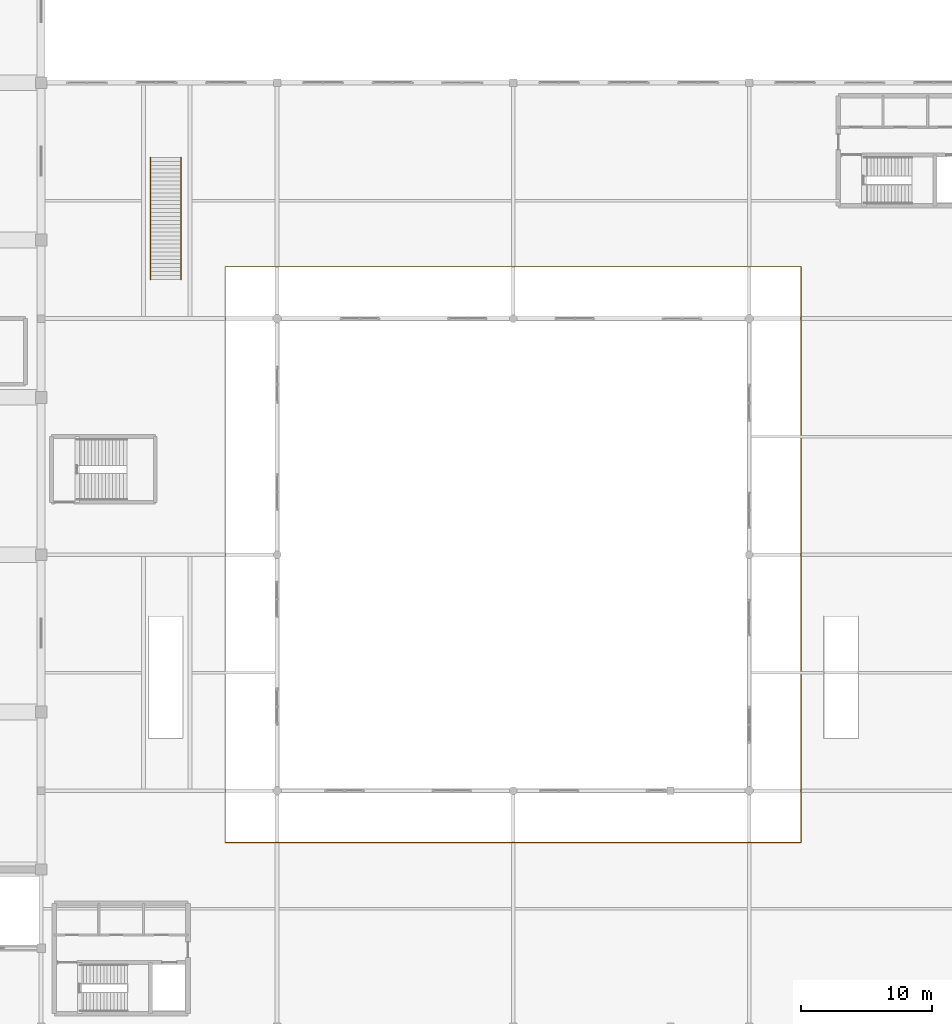
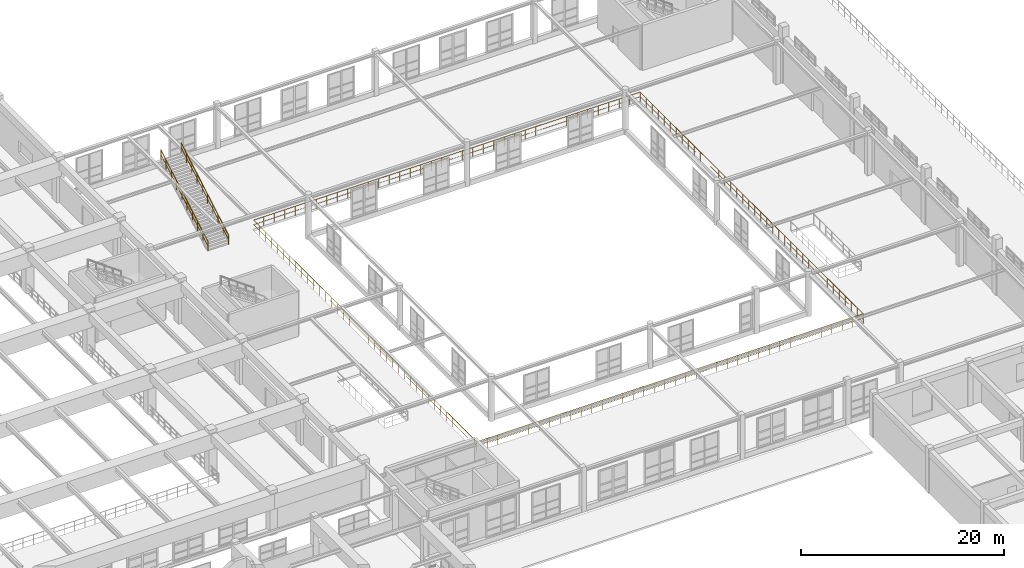
# One storey, part 193 of 197: 4 railings.
"""IFC4 building model written with IfcOpenShell, lengths in metres."""

from ifc_helpers import new_model, si_unit, derived_unit, direction, frame, origin, origin_2d, place, context, subcontext, project, spatial, circle, extrude, material, type_object, element, save


model = new_model("IFC4")

# Units and contexts
model_context = context("Model", 3, precision=1e-05, world=origin(), true_north=direction((0.0, 1.0)))
body_context = subcontext(model_context, "Body", "Model", "MODEL_VIEW")
ifc_project = project(units=[si_unit("LENGTHUNIT", "METRE"), si_unit("AREAUNIT", "SQUARE_METRE"), si_unit("VOLUMEUNIT", "CUBIC_METRE"), si_unit("PLANEANGLEUNIT", "RADIAN"), si_unit("MASSUNIT", "GRAM", prefix="KILO"), derived_unit("THERMALTRANSMITTANCEUNIT", [(si_unit("POWERUNIT", "WATT"), 1), (si_unit("LENGTHUNIT", "METRE"), -2), (si_unit("THERMODYNAMICTEMPERATUREUNIT", "KELVIN"), -1)])], contexts=[model_context])

# Site, building, storey
site_placement = place(None, origin())
site = spatial("IfcSite", under=ifc_project, at=site_placement, CompositionType="ELEMENT")
building_placement = place(site_placement, origin())
building = spatial("IfcBuilding", under=site, at=building_placement, Name="Almenara Railside Exhibition Hall", CompositionType="ELEMENT")
storey_placement = place(building_placement, frame((0.0, 0.0, 5.39990234375)))
storey = spatial("IfcBuildingStorey", under=building, at=storey_placement, Name="L01", CompositionType="ELEMENT", Elevation=5.39990234375)

# Railings
ifc_material_1 = material(Name="Bronze-capped laminated glass balustrade", Category="glass")
railing_type_1 = type_object("IfcRailingType", Name="Gallery Overlook Glazed Balustrade 1150mm", PredefinedType="BALUSTRADE", material=ifc_material_1)
railing_1_placement = place(storey_placement, frame((80.050048828125, 50.050048828125, 0.0)))
element("IfcRailing", 1, at=railing_1_placement, inside=storey, type_object=railing_type_1, Name="Guard balustrade 0022", PredefinedType="BALUSTRADE", context=body_context, shape_type="SweptSolid", body=[
    extrude(circle(Radius=0.02392578125, at=origin_2d()), frame((0.0, 0.0, 1.1259765625), z_axis=(1.0, 0.0, 0.0), x_axis=(0.0, 1.0, 0.0)), (0.0, 0.0, 1.0), 43.89990234375),
    extrude(circle(Radius=0.01416015625, at=origin_2d()), frame((0.0, 0.0, 0.574951171875), z_axis=(1.0, 0.0, 0.0), x_axis=(0.0, 1.0, 0.0)), (0.0, 0.0, 1.0), 43.89990234375),
    extrude(circle(Radius=0.02392578125, at=origin_2d()), frame((43.89990234375, 0.0, 1.1259765625), z_axis=(0.0, 1.0, 0.0), x_axis=(-1.0, 0.0, 0.0)), (0.0, 0.0, 1.0), 43.875),
    extrude(circle(Radius=0.01416015625, at=origin_2d()), frame((43.89990234375, 0.0, 0.574951171875), z_axis=(0.0, 1.0, 0.0), x_axis=(-1.0, 0.0, 0.0)), (0.0, 0.0, 1.0), 43.875),
    extrude(circle(Radius=0.02099609375, at=origin_2d()), origin(), (0.0, 0.0, 1.0), 1.101806640625),
    extrude(circle(Radius=0.02099609375, at=origin_2d()), frame((1.1865234375, 0.0, 0.0)), (0.0, 0.0, 1.0), 1.101806640625),
    extrude(circle(Radius=0.02099609375, at=origin_2d()), frame((2.373046875, 0.0, 0.0)), (0.0, 0.0, 1.0), 1.101806640625),
    extrude(circle(Radius=0.02099609375, at=origin_2d()), frame((3.5595703125, 0.0, 0.0)), (0.0, 0.0, 1.0), 1.101806640625),
    extrude(circle(Radius=0.02099609375, at=origin_2d()), frame((4.745849609375, 0.0, 0.0)), (0.0, 0.0, 1.0), 1.101806640625),
    extrude(circle(Radius=0.02099609375, at=origin_2d()), frame((5.932373046875, 0.0, 0.0)), (0.0, 0.0, 1.0), 1.101806640625),
    extrude(circle(Radius=0.02099609375, at=origin_2d()), frame((7.118896484375, 0.0, 0.0)), (0.0, 0.0, 1.0), 1.101806640625),
    extrude(circle(Radius=0.02099609375, at=origin_2d()), frame((8.305419921875, 0.0, 0.0)), (0.0, 0.0, 1.0), 1.101806640625),
    extrude(circle(Radius=0.02099609375, at=origin_2d()), frame((9.491943359375, 0.0, 0.0)), (0.0, 0.0, 1.0), 1.101806640625),
    extrude(circle(Radius=0.02099609375, at=origin_2d()), frame((10.678466796875, 0.0, 0.0)), (0.0, 0.0, 1.0), 1.101806640625),
    extrude(circle(Radius=0.02099609375, at=origin_2d()), frame((11.86474609375, 0.0, 0.0)), (0.0, 0.0, 1.0), 1.101806640625),
    extrude(circle(Radius=0.02099609375, at=origin_2d()), frame((13.05126953125, 0.0, 0.0)), (0.0, 0.0, 1.0), 1.101806640625),
    extrude(circle(Radius=0.02099609375, at=origin_2d()), frame((14.23779296875, 0.0, 0.0)), (0.0, 0.0, 1.0), 1.101806640625),
    extrude(circle(Radius=0.02099609375, at=origin_2d()), frame((15.42431640625, 0.0, 0.0)), (0.0, 0.0, 1.0), 1.101806640625),
    extrude(circle(Radius=0.02099609375, at=origin_2d()), frame((16.61083984375, 0.0, 0.0)), (0.0, 0.0, 1.0), 1.101806640625),
    extrude(circle(Radius=0.02099609375, at=origin_2d()), frame((17.79736328125, 0.0, 0.0)), (0.0, 0.0, 1.0), 1.101806640625),
    extrude(circle(Radius=0.02099609375, at=origin_2d()), frame((18.983642578125, 0.0, 0.0)), (0.0, 0.0, 1.0), 1.101806640625),
    extrude(circle(Radius=0.02099609375, at=origin_2d()), frame((20.170166015625, 0.0, 0.0)), (0.0, 0.0, 1.0), 1.101806640625),
    extrude(circle(Radius=0.02099609375, at=origin_2d()), frame((21.356689453125, 0.0, 0.0)), (0.0, 0.0, 1.0), 1.101806640625),
    extrude(circle(Radius=0.02099609375, at=origin_2d()), frame((22.543212890625, 0.0, 0.0)), (0.0, 0.0, 1.0), 1.101806640625),
    extrude(circle(Radius=0.02099609375, at=origin_2d()), frame((23.729736328125, 0.0, 0.0)), (0.0, 0.0, 1.0), 1.101806640625),
    extrude(circle(Radius=0.02099609375, at=origin_2d()), frame((24.916259765625, 0.0, 0.0)), (0.0, 0.0, 1.0), 1.101806640625),
    extrude(circle(Radius=0.02099609375, at=origin_2d()), frame((26.1025390625, 0.0, 0.0)), (0.0, 0.0, 1.0), 1.101806640625),
    extrude(circle(Radius=0.02099609375, at=origin_2d()), frame((27.2890625, 0.0, 0.0)), (0.0, 0.0, 1.0), 1.101806640625),
    extrude(circle(Radius=0.02099609375, at=origin_2d()), frame((28.4755859375, 0.0, 0.0)), (0.0, 0.0, 1.0), 1.101806640625),
    extrude(circle(Radius=0.02099609375, at=origin_2d()), frame((29.662109375, 0.0, 0.0)), (0.0, 0.0, 1.0), 1.101806640625),
    extrude(circle(Radius=0.02099609375, at=origin_2d()), frame((30.8486328125, 0.0, 0.0)), (0.0, 0.0, 1.0), 1.101806640625),
    extrude(circle(Radius=0.02099609375, at=origin_2d()), frame((32.03515625, 0.0, 0.0)), (0.0, 0.0, 1.0), 1.101806640625),
    extrude(circle(Radius=0.02099609375, at=origin_2d()), frame((33.221435546875, 0.0, 0.0)), (0.0, 0.0, 1.0), 1.101806640625),
    extrude(circle(Radius=0.02099609375, at=origin_2d()), frame((34.407958984375, 0.0, 0.0)), (0.0, 0.0, 1.0), 1.101806640625),
    extrude(circle(Radius=0.02099609375, at=origin_2d()), frame((35.594482421875, 0.0, 0.0)), (0.0, 0.0, 1.0), 1.101806640625),
    extrude(circle(Radius=0.02099609375, at=origin_2d()), frame((36.781005859375, 0.0, 0.0)), (0.0, 0.0, 1.0), 1.101806640625),
    extrude(circle(Radius=0.02099609375, at=origin_2d()), frame((37.967529296875, 0.0, 0.0)), (0.0, 0.0, 1.0), 1.101806640625),
    extrude(circle(Radius=0.02099609375, at=origin_2d()), frame((39.154052734375, 0.0, 0.0)), (0.0, 0.0, 1.0), 1.101806640625),
    extrude(circle(Radius=0.02099609375, at=origin_2d()), frame((40.34033203125, 0.0, 0.0)), (0.0, 0.0, 1.0), 1.101806640625),
    extrude(circle(Radius=0.02099609375, at=origin_2d()), frame((41.52685546875, 0.0, 0.0)), (0.0, 0.0, 1.0), 1.101806640625),
    extrude(circle(Radius=0.02099609375, at=origin_2d()), frame((42.71337890625, 0.0, 0.0)), (0.0, 0.0, 1.0), 1.101806640625),
    extrude(circle(Radius=0.02099609375, at=origin_2d()), frame((43.89990234375, 0.0, 0.0)), (0.0, 0.0, 1.0), 1.101806640625),
    extrude(circle(Radius=0.02099609375, at=origin_2d()), frame((43.89990234375, 1.185791015625, 0.0)), (0.0, 0.0, 1.0), 1.101806640625),
    extrude(circle(Radius=0.02099609375, at=origin_2d()), frame((43.89990234375, 2.37158203125, 0.0)), (0.0, 0.0, 1.0), 1.101806640625),
    extrude(circle(Radius=0.02099609375, at=origin_2d()), frame((43.89990234375, 3.557373046875, 0.0)), (0.0, 0.0, 1.0), 1.101806640625),
    extrude(circle(Radius=0.02099609375, at=origin_2d()), frame((43.89990234375, 4.7431640625, 0.0)), (0.0, 0.0, 1.0), 1.101806640625),
    extrude(circle(Radius=0.02099609375, at=origin_2d()), frame((43.89990234375, 5.928955078125, 0.0)), (0.0, 0.0, 1.0), 1.101806640625),
    extrude(circle(Radius=0.02099609375, at=origin_2d()), frame((43.89990234375, 7.11474609375, 0.0)), (0.0, 0.0, 1.0), 1.101806640625),
    extrude(circle(Radius=0.02099609375, at=origin_2d()), frame((43.89990234375, 8.30078125, 0.0)), (0.0, 0.0, 1.0), 1.101806640625),
    extrude(circle(Radius=0.02099609375, at=origin_2d()), frame((43.89990234375, 9.486572265625, 0.0)), (0.0, 0.0, 1.0), 1.101806640625),
    extrude(circle(Radius=0.02099609375, at=origin_2d()), frame((43.89990234375, 10.67236328125, 0.0)), (0.0, 0.0, 1.0), 1.101806640625),
    extrude(circle(Radius=0.02099609375, at=origin_2d()), frame((43.89990234375, 11.858154296875, 0.0)), (0.0, 0.0, 1.0), 1.101806640625),
    extrude(circle(Radius=0.02099609375, at=origin_2d()), frame((43.89990234375, 13.0439453125, 0.0)), (0.0, 0.0, 1.0), 1.101806640625),
    extrude(circle(Radius=0.02099609375, at=origin_2d()), frame((43.89990234375, 14.229736328125, 0.0)), (0.0, 0.0, 1.0), 1.101806640625),
    extrude(circle(Radius=0.02099609375, at=origin_2d()), frame((43.89990234375, 15.41552734375, 0.0)), (0.0, 0.0, 1.0), 1.101806640625),
    extrude(circle(Radius=0.02099609375, at=origin_2d()), frame((43.89990234375, 16.601318359375, 0.0)), (0.0, 0.0, 1.0), 1.101806640625),
    extrude(circle(Radius=0.02099609375, at=origin_2d()), frame((43.89990234375, 17.787109375, 0.0)), (0.0, 0.0, 1.0), 1.101806640625),
    extrude(circle(Radius=0.02099609375, at=origin_2d()), frame((43.89990234375, 18.972900390625, 0.0)), (0.0, 0.0, 1.0), 1.101806640625),
    extrude(circle(Radius=0.02099609375, at=origin_2d()), frame((43.89990234375, 20.15869140625, 0.0)), (0.0, 0.0, 1.0), 1.101806640625),
    extrude(circle(Radius=0.02099609375, at=origin_2d()), frame((43.89990234375, 21.344482421875, 0.0)), (0.0, 0.0, 1.0), 1.101806640625),
    extrude(circle(Radius=0.02099609375, at=origin_2d()), frame((43.89990234375, 22.530517578125, 0.0)), (0.0, 0.0, 1.0), 1.101806640625),
    extrude(circle(Radius=0.02099609375, at=origin_2d()), frame((43.89990234375, 23.71630859375, 0.0)), (0.0, 0.0, 1.0), 1.101806640625),
    extrude(circle(Radius=0.02099609375, at=origin_2d()), frame((43.89990234375, 24.902099609375, 0.0)), (0.0, 0.0, 1.0), 1.101806640625),
    extrude(circle(Radius=0.02099609375, at=origin_2d()), frame((43.89990234375, 26.087890625, 0.0)), (0.0, 0.0, 1.0), 1.101806640625),
    extrude(circle(Radius=0.02099609375, at=origin_2d()), frame((43.89990234375, 27.273681640625, 0.0)), (0.0, 0.0, 1.0), 1.101806640625),
    extrude(circle(Radius=0.02099609375, at=origin_2d()), frame((43.89990234375, 28.45947265625, 0.0)), (0.0, 0.0, 1.0), 1.101806640625),
    extrude(circle(Radius=0.02099609375, at=origin_2d()), frame((43.89990234375, 29.645263671875, 0.0)), (0.0, 0.0, 1.0), 1.101806640625),
    extrude(circle(Radius=0.02099609375, at=origin_2d()), frame((43.89990234375, 30.8310546875, 0.0)), (0.0, 0.0, 1.0), 1.101806640625),
    extrude(circle(Radius=0.02099609375, at=origin_2d()), frame((43.89990234375, 32.016845703125, 0.0)), (0.0, 0.0, 1.0), 1.101806640625),
    extrude(circle(Radius=0.02099609375, at=origin_2d()), frame((43.89990234375, 33.20263671875, 0.0)), (0.0, 0.0, 1.0), 1.101806640625),
    extrude(circle(Radius=0.02099609375, at=origin_2d()), frame((43.89990234375, 34.388427734375, 0.0)), (0.0, 0.0, 1.0), 1.101806640625),
    extrude(circle(Radius=0.02099609375, at=origin_2d()), frame((43.89990234375, 35.57421875, 0.0)), (0.0, 0.0, 1.0), 1.101806640625),
    extrude(circle(Radius=0.02099609375, at=origin_2d()), frame((43.89990234375, 36.76025390625, 0.0)), (0.0, 0.0, 1.0), 1.101806640625),
    extrude(circle(Radius=0.02099609375, at=origin_2d()), frame((43.89990234375, 37.946044921875, 0.0)), (0.0, 0.0, 1.0), 1.101806640625),
    extrude(circle(Radius=0.02099609375, at=origin_2d()), frame((43.89990234375, 39.1318359375, 0.0)), (0.0, 0.0, 1.0), 1.101806640625),
    extrude(circle(Radius=0.02099609375, at=origin_2d()), frame((43.89990234375, 40.317626953125, 0.0)), (0.0, 0.0, 1.0), 1.101806640625),
    extrude(circle(Radius=0.02099609375, at=origin_2d()), frame((43.89990234375, 41.50341796875, 0.0)), (0.0, 0.0, 1.0), 1.101806640625),
    extrude(circle(Radius=0.02099609375, at=origin_2d()), frame((43.89990234375, 42.689208984375, 0.0)), (0.0, 0.0, 1.0), 1.101806640625),
    extrude(circle(Radius=0.02099609375, at=origin_2d()), frame((43.89990234375, 43.875, 0.0)), (0.0, 0.0, 1.0), 1.101806640625),
])
railing_2_placement = place(storey_placement, frame((123.949951171875, 93.949951171875, 0.0)))
element("IfcRailing", 2, at=railing_2_placement, inside=storey, type_object=railing_type_1, Name="Guard balustrade 0023", PredefinedType="BALUSTRADE", context=body_context, shape_type="SweptSolid", body=[
    extrude(circle(Radius=0.02392578125, at=origin_2d()), frame((0.0, 0.0, 1.1259765625), z_axis=(-1.0, 0.0, 0.0), x_axis=(0.0, -1.0, 0.0)), (0.0, 0.0, 1.0), 43.89990234375),
    extrude(circle(Radius=0.01416015625, at=origin_2d()), frame((0.0, 0.0, 0.574951171875), z_axis=(-1.0, 0.0, 0.0), x_axis=(0.0, -1.0, 0.0)), (0.0, 0.0, 1.0), 43.89990234375),
    extrude(circle(Radius=0.02392578125, at=origin_2d()), frame((-43.89990234375, 0.0, 1.1259765625), z_axis=(0.0, -1.0, 0.0), x_axis=(1.0, 0.0, 0.0)), (0.0, 0.0, 1.0), 43.875),
    extrude(circle(Radius=0.01416015625, at=origin_2d()), frame((-43.89990234375, 0.0, 0.574951171875), z_axis=(0.0, -1.0, 0.0), x_axis=(1.0, 0.0, 0.0)), (0.0, 0.0, 1.0), 43.875),
    extrude(circle(Radius=0.02099609375, at=origin_2d()), origin(), (0.0, 0.0, 1.0), 1.101806640625),
    extrude(circle(Radius=0.02099609375, at=origin_2d()), frame((-1.1865234375, 0.0, 0.0)), (0.0, 0.0, 1.0), 1.101806640625),
    extrude(circle(Radius=0.02099609375, at=origin_2d()), frame((-2.373046875, 0.0, 0.0)), (0.0, 0.0, 1.0), 1.101806640625),
    extrude(circle(Radius=0.02099609375, at=origin_2d()), frame((-3.5595703125, 0.0, 0.0)), (0.0, 0.0, 1.0), 1.101806640625),
    extrude(circle(Radius=0.02099609375, at=origin_2d()), frame((-4.745849609375, 0.0, 0.0)), (0.0, 0.0, 1.0), 1.101806640625),
    extrude(circle(Radius=0.02099609375, at=origin_2d()), frame((-5.932373046875, 0.0, 0.0)), (0.0, 0.0, 1.0), 1.101806640625),
    extrude(circle(Radius=0.02099609375, at=origin_2d()), frame((-7.118896484375, 0.0, 0.0)), (0.0, 0.0, 1.0), 1.101806640625),
    extrude(circle(Radius=0.02099609375, at=origin_2d()), frame((-8.305419921875, 0.0, 0.0)), (0.0, 0.0, 1.0), 1.101806640625),
    extrude(circle(Radius=0.02099609375, at=origin_2d()), frame((-9.491943359375, 0.0, 0.0)), (0.0, 0.0, 1.0), 1.101806640625),
    extrude(circle(Radius=0.02099609375, at=origin_2d()), frame((-10.678466796875, 0.0, 0.0)), (0.0, 0.0, 1.0), 1.101806640625),
    extrude(circle(Radius=0.02099609375, at=origin_2d()), frame((-11.86474609375, 0.0, 0.0)), (0.0, 0.0, 1.0), 1.101806640625),
    extrude(circle(Radius=0.02099609375, at=origin_2d()), frame((-13.05126953125, 0.0, 0.0)), (0.0, 0.0, 1.0), 1.101806640625),
    extrude(circle(Radius=0.02099609375, at=origin_2d()), frame((-14.23779296875, 0.0, 0.0)), (0.0, 0.0, 1.0), 1.101806640625),
    extrude(circle(Radius=0.02099609375, at=origin_2d()), frame((-15.42431640625, 0.0, 0.0)), (0.0, 0.0, 1.0), 1.101806640625),
    extrude(circle(Radius=0.02099609375, at=origin_2d()), frame((-16.61083984375, 0.0, 0.0)), (0.0, 0.0, 1.0), 1.101806640625),
    extrude(circle(Radius=0.02099609375, at=origin_2d()), frame((-17.79736328125, 0.0, 0.0)), (0.0, 0.0, 1.0), 1.101806640625),
    extrude(circle(Radius=0.02099609375, at=origin_2d()), frame((-18.983642578125, 0.0, 0.0)), (0.0, 0.0, 1.0), 1.101806640625),
    extrude(circle(Radius=0.02099609375, at=origin_2d()), frame((-20.170166015625, 0.0, 0.0)), (0.0, 0.0, 1.0), 1.101806640625),
    extrude(circle(Radius=0.02099609375, at=origin_2d()), frame((-21.356689453125, 0.0, 0.0)), (0.0, 0.0, 1.0), 1.101806640625),
    extrude(circle(Radius=0.02099609375, at=origin_2d()), frame((-22.543212890625, 0.0, 0.0)), (0.0, 0.0, 1.0), 1.101806640625),
    extrude(circle(Radius=0.02099609375, at=origin_2d()), frame((-23.729736328125, 0.0, 0.0)), (0.0, 0.0, 1.0), 1.101806640625),
    extrude(circle(Radius=0.02099609375, at=origin_2d()), frame((-24.916259765625, 0.0, 0.0)), (0.0, 0.0, 1.0), 1.101806640625),
    extrude(circle(Radius=0.02099609375, at=origin_2d()), frame((-26.1025390625, 0.0, 0.0)), (0.0, 0.0, 1.0), 1.101806640625),
    extrude(circle(Radius=0.02099609375, at=origin_2d()), frame((-27.2890625, 0.0, 0.0)), (0.0, 0.0, 1.0), 1.101806640625),
    extrude(circle(Radius=0.02099609375, at=origin_2d()), frame((-28.4755859375, 0.0, 0.0)), (0.0, 0.0, 1.0), 1.101806640625),
    extrude(circle(Radius=0.02099609375, at=origin_2d()), frame((-29.662109375, 0.0, 0.0)), (0.0, 0.0, 1.0), 1.101806640625),
    extrude(circle(Radius=0.02099609375, at=origin_2d()), frame((-30.8486328125, 0.0, 0.0)), (0.0, 0.0, 1.0), 1.101806640625),
    extrude(circle(Radius=0.02099609375, at=origin_2d()), frame((-32.03515625, 0.0, 0.0)), (0.0, 0.0, 1.0), 1.101806640625),
    extrude(circle(Radius=0.02099609375, at=origin_2d()), frame((-33.221435546875, 0.0, 0.0)), (0.0, 0.0, 1.0), 1.101806640625),
    extrude(circle(Radius=0.02099609375, at=origin_2d()), frame((-34.407958984375, 0.0, 0.0)), (0.0, 0.0, 1.0), 1.101806640625),
    extrude(circle(Radius=0.02099609375, at=origin_2d()), frame((-35.594482421875, 0.0, 0.0)), (0.0, 0.0, 1.0), 1.101806640625),
    extrude(circle(Radius=0.02099609375, at=origin_2d()), frame((-36.781005859375, 0.0, 0.0)), (0.0, 0.0, 1.0), 1.101806640625),
    extrude(circle(Radius=0.02099609375, at=origin_2d()), frame((-37.967529296875, 0.0, 0.0)), (0.0, 0.0, 1.0), 1.101806640625),
    extrude(circle(Radius=0.02099609375, at=origin_2d()), frame((-39.154052734375, 0.0, 0.0)), (0.0, 0.0, 1.0), 1.101806640625),
    extrude(circle(Radius=0.02099609375, at=origin_2d()), frame((-40.34033203125, 0.0, 0.0)), (0.0, 0.0, 1.0), 1.101806640625),
    extrude(circle(Radius=0.02099609375, at=origin_2d()), frame((-41.52685546875, 0.0, 0.0)), (0.0, 0.0, 1.0), 1.101806640625),
    extrude(circle(Radius=0.02099609375, at=origin_2d()), frame((-42.71337890625, 0.0, 0.0)), (0.0, 0.0, 1.0), 1.101806640625),
    extrude(circle(Radius=0.02099609375, at=origin_2d()), frame((-43.89990234375, 0.0, 0.0)), (0.0, 0.0, 1.0), 1.101806640625),
    extrude(circle(Radius=0.02099609375, at=origin_2d()), frame((-43.89990234375, -1.185791015625, 0.0)), (0.0, 0.0, 1.0), 1.101806640625),
    extrude(circle(Radius=0.02099609375, at=origin_2d()), frame((-43.89990234375, -2.37158203125, 0.0)), (0.0, 0.0, 1.0), 1.101806640625),
    extrude(circle(Radius=0.02099609375, at=origin_2d()), frame((-43.89990234375, -3.557373046875, 0.0)), (0.0, 0.0, 1.0), 1.101806640625),
    extrude(circle(Radius=0.02099609375, at=origin_2d()), frame((-43.89990234375, -4.7431640625, 0.0)), (0.0, 0.0, 1.0), 1.101806640625),
    extrude(circle(Radius=0.02099609375, at=origin_2d()), frame((-43.89990234375, -5.928955078125, 0.0)), (0.0, 0.0, 1.0), 1.101806640625),
    extrude(circle(Radius=0.02099609375, at=origin_2d()), frame((-43.89990234375, -7.11474609375, 0.0)), (0.0, 0.0, 1.0), 1.101806640625),
    extrude(circle(Radius=0.02099609375, at=origin_2d()), frame((-43.89990234375, -8.30078125, 0.0)), (0.0, 0.0, 1.0), 1.101806640625),
    extrude(circle(Radius=0.02099609375, at=origin_2d()), frame((-43.89990234375, -9.486572265625, 0.0)), (0.0, 0.0, 1.0), 1.101806640625),
    extrude(circle(Radius=0.02099609375, at=origin_2d()), frame((-43.89990234375, -10.67236328125, 0.0)), (0.0, 0.0, 1.0), 1.101806640625),
    extrude(circle(Radius=0.02099609375, at=origin_2d()), frame((-43.89990234375, -11.858154296875, 0.0)), (0.0, 0.0, 1.0), 1.101806640625),
    extrude(circle(Radius=0.02099609375, at=origin_2d()), frame((-43.89990234375, -13.0439453125, 0.0)), (0.0, 0.0, 1.0), 1.101806640625),
    extrude(circle(Radius=0.02099609375, at=origin_2d()), frame((-43.89990234375, -14.229736328125, 0.0)), (0.0, 0.0, 1.0), 1.101806640625),
    extrude(circle(Radius=0.02099609375, at=origin_2d()), frame((-43.89990234375, -15.41552734375, 0.0)), (0.0, 0.0, 1.0), 1.101806640625),
    extrude(circle(Radius=0.02099609375, at=origin_2d()), frame((-43.89990234375, -16.601318359375, 0.0)), (0.0, 0.0, 1.0), 1.101806640625),
    extrude(circle(Radius=0.02099609375, at=origin_2d()), frame((-43.89990234375, -17.787109375, 0.0)), (0.0, 0.0, 1.0), 1.101806640625),
    extrude(circle(Radius=0.02099609375, at=origin_2d()), frame((-43.89990234375, -18.972900390625, 0.0)), (0.0, 0.0, 1.0), 1.101806640625),
    extrude(circle(Radius=0.02099609375, at=origin_2d()), frame((-43.89990234375, -20.15869140625, 0.0)), (0.0, 0.0, 1.0), 1.101806640625),
    extrude(circle(Radius=0.02099609375, at=origin_2d()), frame((-43.89990234375, -21.344482421875, 0.0)), (0.0, 0.0, 1.0), 1.101806640625),
    extrude(circle(Radius=0.02099609375, at=origin_2d()), frame((-43.89990234375, -22.530517578125, 0.0)), (0.0, 0.0, 1.0), 1.101806640625),
    extrude(circle(Radius=0.02099609375, at=origin_2d()), frame((-43.89990234375, -23.71630859375, 0.0)), (0.0, 0.0, 1.0), 1.101806640625),
    extrude(circle(Radius=0.02099609375, at=origin_2d()), frame((-43.89990234375, -24.902099609375, 0.0)), (0.0, 0.0, 1.0), 1.101806640625),
    extrude(circle(Radius=0.02099609375, at=origin_2d()), frame((-43.89990234375, -26.087890625, 0.0)), (0.0, 0.0, 1.0), 1.101806640625),
    extrude(circle(Radius=0.02099609375, at=origin_2d()), frame((-43.89990234375, -27.273681640625, 0.0)), (0.0, 0.0, 1.0), 1.101806640625),
    extrude(circle(Radius=0.02099609375, at=origin_2d()), frame((-43.89990234375, -28.45947265625, 0.0)), (0.0, 0.0, 1.0), 1.101806640625),
    extrude(circle(Radius=0.02099609375, at=origin_2d()), frame((-43.89990234375, -29.645263671875, 0.0)), (0.0, 0.0, 1.0), 1.101806640625),
    extrude(circle(Radius=0.02099609375, at=origin_2d()), frame((-43.89990234375, -30.8310546875, 0.0)), (0.0, 0.0, 1.0), 1.101806640625),
    extrude(circle(Radius=0.02099609375, at=origin_2d()), frame((-43.89990234375, -32.016845703125, 0.0)), (0.0, 0.0, 1.0), 1.101806640625),
    extrude(circle(Radius=0.02099609375, at=origin_2d()), frame((-43.89990234375, -33.20263671875, 0.0)), (0.0, 0.0, 1.0), 1.101806640625),
    extrude(circle(Radius=0.02099609375, at=origin_2d()), frame((-43.89990234375, -34.388427734375, 0.0)), (0.0, 0.0, 1.0), 1.101806640625),
    extrude(circle(Radius=0.02099609375, at=origin_2d()), frame((-43.89990234375, -35.57421875, 0.0)), (0.0, 0.0, 1.0), 1.101806640625),
    extrude(circle(Radius=0.02099609375, at=origin_2d()), frame((-43.89990234375, -36.76025390625, 0.0)), (0.0, 0.0, 1.0), 1.101806640625),
    extrude(circle(Radius=0.02099609375, at=origin_2d()), frame((-43.89990234375, -37.946044921875, 0.0)), (0.0, 0.0, 1.0), 1.101806640625),
    extrude(circle(Radius=0.02099609375, at=origin_2d()), frame((-43.89990234375, -39.1318359375, 0.0)), (0.0, 0.0, 1.0), 1.101806640625),
    extrude(circle(Radius=0.02099609375, at=origin_2d()), frame((-43.89990234375, -40.317626953125, 0.0)), (0.0, 0.0, 1.0), 1.101806640625),
    extrude(circle(Radius=0.02099609375, at=origin_2d()), frame((-43.89990234375, -41.50341796875, 0.0)), (0.0, 0.0, 1.0), 1.101806640625),
    extrude(circle(Radius=0.02099609375, at=origin_2d()), frame((-43.89990234375, -42.689208984375, 0.0)), (0.0, 0.0, 1.0), 1.101806640625),
    extrude(circle(Radius=0.02099609375, at=origin_2d()), frame((-43.89990234375, -43.875, 0.0)), (0.0, 0.0, 1.0), 1.101806640625),
])
ifc_material_2 = material(Name="Dark wrought-iron stair balustrade")
railing_type_2 = type_object("IfcRailingType", Name="Stair Well Guard Rail 1120mm", PredefinedType="BALUSTRADE", material=ifc_material_2)
for number, where, name in (
    (3, (74.340087890625, 93.0, 0.0), "SG-L01-0141"),
    (4, (76.659912109375, 93.0, 0.0), "SG-L01-0142"),
):
    element("IfcRailing", number, at=place(storey_placement, frame(where)), inside=storey, type_object=railing_type_2, Name=name, PredefinedType="BALUSTRADE", context=body_context, shape_type="SweptSolid", body=[
        extrude(circle(Radius=0.02392578125, at=origin_2d()), frame((0.0, 0.0, 1.09619140625), z_axis=(0.0, 0.864784176518, 0.502143732455), x_axis=(-1.0, 0.0, 0.0)), (0.0, 0.0, 1.0), 10.754150390625),
        extrude(circle(Radius=0.01416015625, at=origin_2d()), frame((0.0, 0.0, 0.56005859375), z_axis=(0.0, 0.864784176518, 0.502143732455), x_axis=(-1.0, 0.0, 0.0)), (0.0, 0.0, 1.0), 10.754150390625),
        extrude(circle(Radius=0.02099609375, at=origin_2d()), origin(), (0.0, 0.0, 1.0), 1.072021484375),
        extrude(circle(Radius=0.02099609375, at=origin_2d()), frame((0.0, 1.033447265625, 0.60009765625)), (0.0, 0.0, 1.0), 1.072021484375),
        extrude(circle(Radius=0.02099609375, at=origin_2d()), frame((0.0, 2.066650390625, 1.199951171875)), (0.0, 0.0, 1.0), 1.072021484375),
        extrude(circle(Radius=0.02099609375, at=origin_2d()), frame((0.0, 3.10009765625, 1.800048828125)), (0.0, 0.0, 1.0), 1.072021484375),
        extrude(circle(Radius=0.02099609375, at=origin_2d()), frame((0.0, 4.13330078125, 2.400146484375)), (0.0, 0.0, 1.0), 1.072021484375),
        extrude(circle(Radius=0.02099609375, at=origin_2d()), frame((0.0, 5.166748046875, 3.0)), (0.0, 0.0, 1.0), 1.072021484375),
        extrude(circle(Radius=0.02099609375, at=origin_2d()), frame((0.0, 6.199951171875, 3.60009765625)), (0.0, 0.0, 1.0), 1.072021484375),
        extrude(circle(Radius=0.02099609375, at=origin_2d()), frame((0.0, 7.2333984375, 4.2001953125)), (0.0, 0.0, 1.0), 1.072021484375),
        extrude(circle(Radius=0.02099609375, at=origin_2d()), frame((0.0, 8.2666015625, 4.800048828125)), (0.0, 0.0, 1.0), 1.072021484375),
        extrude(circle(Radius=0.02099609375, at=origin_2d()), frame((0.0, 9.300048828125, 5.400146484375)), (0.0, 0.0, 1.0), 1.072021484375),
    ])

save(model, "model.ifc")
